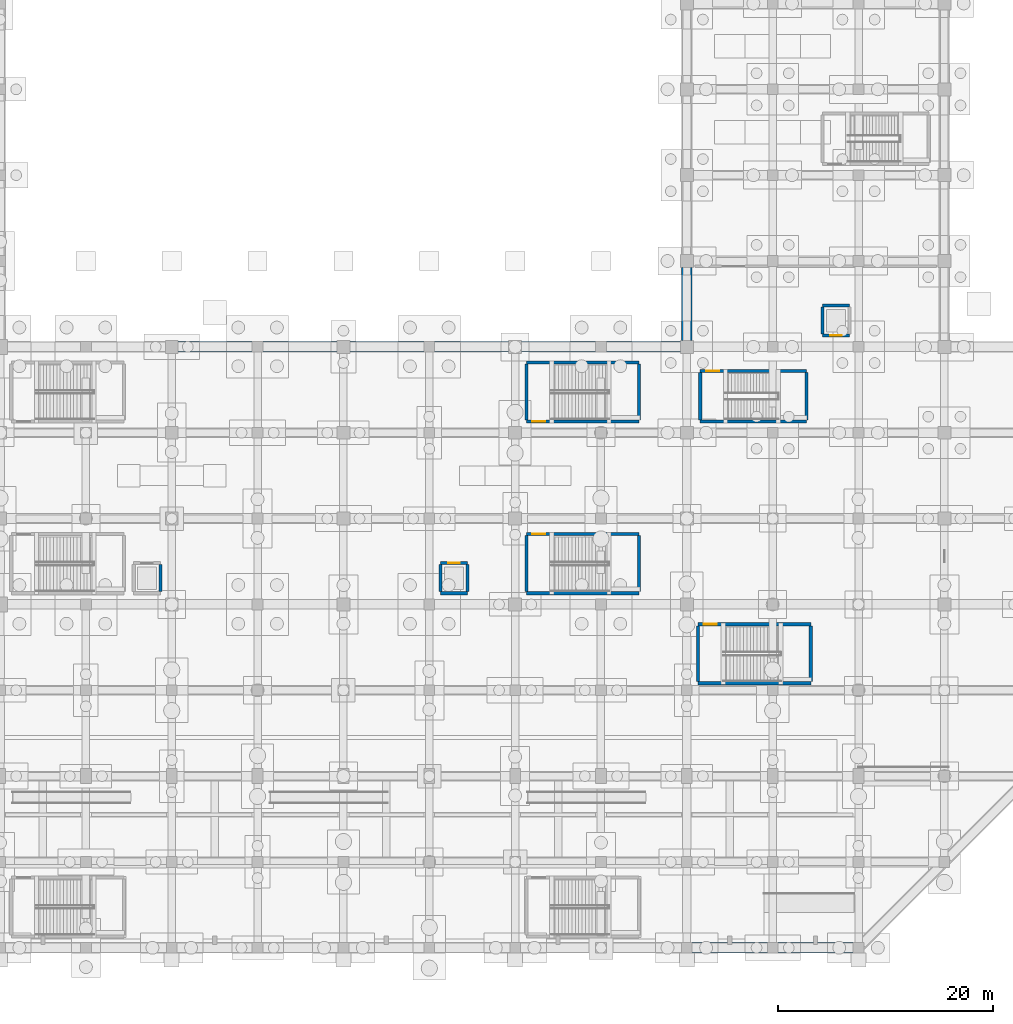
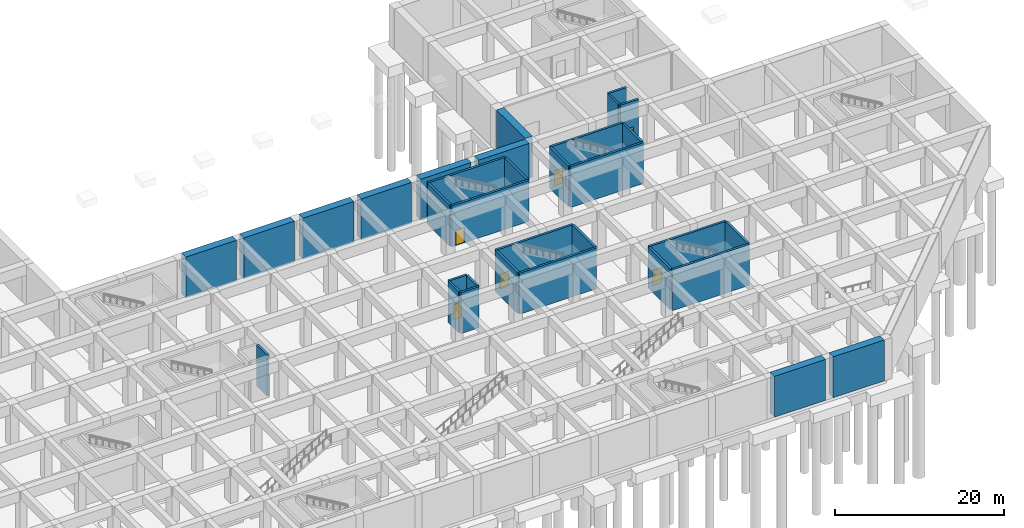
# One storey, part 17 of 26: 33 walls, 6 doors, 6 openings.
"""IFC4 building model written with IfcOpenShell, lengths in metres."""

import ifcopenshell
import ifcopenshell.guid

model = None  # the IFC model being written
_history = None  # IfcOwnerHistory: only IFC2X3 demands one
_inside = {}  # id of a spatial element -> (the spatial element, [elements in it])
_under = {}  # id of a project, library or spatial element -> (it, [spatial elements below it])
_declared = {}  # id of a project -> (the project, [libraries it declares])
_typed = {}  # id of a type object -> (the type object, [elements of that type])
_made_of = {}  # id of a material, layer set ... -> (it, [elements and type objects made of it])


def new_model(schema):
    """Start an empty IFC model of exactly this schema.

    Asked for "IFC4X3", IfcOpenShell would pick the latest addendum, in which some entities
    have other attributes; the version numbers below select the first issue.
    IFC2X3 requires an IfcOwnerHistory on every rooted entity: one is made here for all.
    """
    global model, _history
    if schema == "IFC4X3":
        model = ifcopenshell.file(schema_version=(4, 3, 0, 0))
    else:
        model = ifcopenshell.file(schema=schema)
    _inside.clear()
    _under.clear()
    _declared.clear()
    _typed.clear()
    _made_of.clear()
    _history = None
    if model.schema == "IFC2X3":
        org = make("IfcOrganization", Name="unknown")
        user = make(
            "IfcPersonAndOrganization",
            ThePerson=make("IfcPerson", FamilyName="unknown"),
            TheOrganization=org,
        )
        app = make(
            "IfcApplication",
            ApplicationDeveloper=org,
            Version="unknown",
            ApplicationFullName="unknown",
            ApplicationIdentifier="unknown",
        )
        _history = make(
            "IfcOwnerHistory",
            OwningUser=user,
            OwningApplication=app,
            ChangeAction="ADDED",
            CreationDate=0,
        )
    return model


def make(cls, **values):
    """One entity of the class cls with the attributes given. An attribute that is None is left unset."""
    return model.create_entity(
        cls, **{name: value for name, value in values.items() if value is not None}
    )


def rooted(cls, **values):
    """An entity with a GlobalId (a new one), such as an element, a storey or a relation."""
    return make(cls, GlobalId=ifcopenshell.guid.new(), OwnerHistory=_history, **values)


def si_unit(unit_type, name, prefix=None):
    """IfcSIUnit, for example si_unit("LENGTHUNIT", "METRE", prefix="MILLI")."""
    return make("IfcSIUnit", UnitType=unit_type, Prefix=prefix, Name=name)


def assignment(units):
    """IfcUnitAssignment: the units of a project."""
    return None if units is None else make("IfcUnitAssignment", Units=units)


def point(xyz):
    """IfcCartesianPoint."""
    return None if xyz is None else make("IfcCartesianPoint", Coordinates=xyz)


def direction(xyz):
    """IfcDirection."""
    return None if xyz is None else make("IfcDirection", DirectionRatios=xyz)


def frame(location, z_axis=None, x_axis=None):
    """IfcAxis2Placement3D, a coordinate frame: its origin and axes. An axis left out is left unset."""
    return make(
        "IfcAxis2Placement3D",
        Location=point(location),
        Axis=direction(z_axis),
        RefDirection=direction(x_axis),
    )


def frame_2d(location, x_axis=None):
    """IfcAxis2Placement2D, a coordinate frame in the plane: its origin and x axis."""
    return make(
        "IfcAxis2Placement2D", Location=point(location), RefDirection=direction(x_axis)
    )


def origin():
    """The frame at (0, 0, 0) with its axes left unset."""
    return frame((0.0, 0.0, 0.0))


def place(relative_to, where):
    """IfcLocalPlacement: puts the frame where relative to a parent placement (None: the world)."""
    return make(
        "IfcLocalPlacement", PlacementRelTo=relative_to, RelativePlacement=where
    )


def context(
    kind, dimensions, precision=None, world=None, true_north=None, identifier=None
):
    """IfcGeometricRepresentationContext, for example the 3D "Model" context."""
    return make(
        "IfcGeometricRepresentationContext",
        ContextIdentifier=identifier,
        ContextType=kind,
        CoordinateSpaceDimension=dimensions,
        Precision=precision,
        WorldCoordinateSystem=world,
        TrueNorth=true_north,
    )


def subcontext(parent, identifier, kind, view, scale=None):
    """IfcGeometricRepresentationSubContext, for example "Body" below "Model"."""
    return make(
        "IfcGeometricRepresentationSubContext",
        ContextIdentifier=identifier,
        ContextType=kind,
        ParentContext=parent,
        TargetScale=scale,
        TargetView=view,
    )


def project(units=None, contexts=None):
    """IfcProject with its units and contexts."""
    return rooted(
        "IfcProject",
        Name="project",
        RepresentationContexts=contexts,
        UnitsInContext=assignment(units),
    )


def spatial(cls, under=None, at=None, **own):
    """A site, building, storey or space (cls), placed at a placement, below another one or the project."""
    s = rooted(cls, ObjectPlacement=at, **own)
    if under is not None:
        _under.setdefault(under.id(), (under, []))[1].append(s)
    return s


def profile(cls, at=None, kind="AREA", **sizes):
    """A parametric profile (cls). Its sizes go by their IFC names, for example OverallWidth=200.0."""
    return make(cls, ProfileType=kind, Position=at, **sizes)


def rectangle(**sizes):
    """IfcRectangleProfileDef."""
    return profile("IfcRectangleProfileDef", **sizes)


def extrude(swept, where, along, depth):
    """IfcExtrudedAreaSolid: the profile swept, set in the frame where, extruded along a direction by depth."""
    return make(
        "IfcExtrudedAreaSolid",
        SweptArea=swept,
        Position=where,
        ExtrudedDirection=direction(along),
        Depth=depth,
    )


def shape(context_of_items, identifier, shape_type, items):
    """IfcShapeRepresentation: the items that make up one representation, for example the "Body"."""
    return make(
        "IfcShapeRepresentation",
        ContextOfItems=context_of_items,
        RepresentationIdentifier=identifier,
        RepresentationType=shape_type,
        Items=items,
    )


def material(Name=None, Category=None):
    """IfcMaterial."""
    return make("IfcMaterial", Name=Name, Category=Category)


def layer(
    of_material, thickness, ventilated=None, Name=None, Category=None, Priority=None
):
    """IfcMaterialLayer: one layer of a wall or slab, of a material (None: an air gap)."""
    return make(
        "IfcMaterialLayer",
        Material=of_material,
        LayerThickness=thickness,
        IsVentilated=ventilated,
        Name=Name,
        Category=Category,
        Priority=Priority,
    )


def layer_set(layers, Name=None):
    """IfcMaterialLayerSet."""
    return make("IfcMaterialLayerSet", MaterialLayers=layers, LayerSetName=Name)


def made_of(thing, what):
    """Note that an element or type object is made of a material, layer set ...; save() writes the relation."""
    if what is not None:
        _made_of.setdefault(what.id(), (what, []))[1].append(thing)
    return thing


def type_object(cls, material=None, **own):
    """A type object (cls), such as IfcWallType, which elements share."""
    return made_of(rooted(cls, **own), material)


def element(
    cls,
    number,
    at=None,
    inside=None,
    cuts=None,
    type_object=None,
    material=None,
    context=None,
    identifier="Body",
    shape_type=None,
    held_by="IfcProductDefinitionShape",
    body=None,
    shapes=None,
    **own,
):
    """One element of the class cls, such as IfcWall. Its Tag is "e" and its number.

    at: its placement. inside: the storey or other place that contains it. cuts: it is an
    opening in that element (IfcRelVoidsElement). A single representation is given by context,
    identifier, shape_type and body (its items); several are given by shapes. held_by: the class
    of the entity that holds the representations. save() writes the other relations.
    """
    e = rooted(cls, Tag="e%d" % number, ObjectPlacement=at, **own)
    if body is not None:
        shapes = [shape(context, identifier, shape_type, body)]
    if shapes is not None:
        e.Representation = make(held_by, Representations=shapes)
    if inside is not None:
        _inside.setdefault(inside.id(), (inside, []))[1].append(e)
    if cuts is not None:
        rooted(
            "IfcRelVoidsElement", RelatingBuildingElement=cuts, RelatedOpeningElement=e
        )
    if type_object is not None:
        _typed.setdefault(type_object.id(), (type_object, []))[1].append(e)
    return made_of(e, material)


def fill(opening, filler):
    """IfcRelFillsElement: the door or window that sits in an opening."""
    return rooted(
        "IfcRelFillsElement",
        RelatingOpeningElement=opening,
        RelatedBuildingElement=filler,
    )


def aggregate(whole, parts):
    """IfcRelAggregates: a whole, such as a stair, and the parts it consists of."""
    return rooted("IfcRelAggregates", RelatingObject=whole, RelatedObjects=parts)


def save(model, path):
    """Write the relations noted so far, then the file.

    IfcRelAggregates (storeys below a building ...), IfcRelContainedInSpatialStructure (elements
    in a storey), IfcRelDefinesByType, IfcRelAssociatesMaterial and IfcRelDeclares: one each for
    every whole, place, type object, material and project.
    """
    for whole, parts in _under.values():
        aggregate(whole, parts)
    for where, things in _inside.values():
        rooted(
            "IfcRelContainedInSpatialStructure",
            RelatedElements=things,
            RelatingStructure=where,
        )
    for kind, things in _typed.values():
        rooted("IfcRelDefinesByType", RelatedObjects=things, RelatingType=kind)
    for what, things in _made_of.values():
        rooted("IfcRelAssociatesMaterial", RelatedObjects=things, RelatingMaterial=what)
    for by, libraries in _declared.values():
        rooted("IfcRelDeclares", RelatingContext=by, RelatedDefinitions=libraries)
    model.write(path)


model = new_model("IFC4")

# Units and contexts
model_context = context("Model", 3, precision=1e-05, world=origin(), true_north=direction((0.0, 1.0)))
body_context = subcontext(model_context, "Body", "Model", "MODEL_VIEW")
ifc_project = project(units=[si_unit("LENGTHUNIT", "METRE"), si_unit("AREAUNIT", "SQUARE_METRE"), si_unit("VOLUMEUNIT", "CUBIC_METRE"), si_unit("PLANEANGLEUNIT", "RADIAN"), si_unit("MASSUNIT", "GRAM", prefix="KILO")], contexts=[model_context])

# Site, building, storey
site_placement = place(None, origin())
site = spatial("IfcSite", under=ifc_project, at=site_placement, CompositionType="ELEMENT")
building_placement = place(site_placement, origin())
building = spatial("IfcBuilding", under=site, at=building_placement, Name="Varnela Railside Interchange", CompositionType="ELEMENT")
storey_placement = place(building_placement, frame((0.0, 0.0, -12.60009765625)))
storey = spatial("IfcBuildingStorey", under=building, at=storey_placement, Name="B2", CompositionType="ELEMENT", Elevation=-12.60009765625)

# Walls
ifc_material_1 = material(Name="Concrete C50", Category="concrete")
ifc_layer_1 = layer(ifc_material_1, 1.0)
ifc_layer_set_1 = layer_set([ifc_layer_1], Name="Concrete C50")
wall_type_1 = type_object("IfcWallType", Name="Perimeter Diaphragm Wall DW-01", PredefinedType="USERDEFINED", material=ifc_layer_set_1)
for number, where, z_axis, x_axis, name in (
    (1, (116.5, 6.0, 0.0), (0.0, 0.0, 1.0), (1.0, 0.0, 0.0), "Perimeter Diaphragm Wall DW-01 (B2) (WL-0066)"),
    (2, (124.5, 6.0, 0.0), (0.0, 0.0, 1.0), (1.0, 0.0, 0.0), "Perimeter Diaphragm Wall DW-01 (B2) (WL-0067)"),
):
    element("IfcWall", number, at=place(storey_placement, frame(where, z_axis=z_axis, x_axis=x_axis)), inside=storey, type_object=wall_type_1, Name=name, ObjectType="RETAININGWALL", PredefinedType="USERDEFINED", context=body_context, shape_type="SweptSolid", body=[
        extrude(rectangle(XDim=7.0, YDim=1.0, at=frame_2d((3.5, 0.0))), origin(), (0.0, 0.0, 1.0), 5.900146484375),
    ])
wall_1_placement = place(storey_placement, frame((116.0, 69.39990234375, 0.0), z_axis=(0.0, 0.0, 1.0), x_axis=(0.0, -1.0, 0.0)))
element("IfcWall", 3, at=wall_1_placement, inside=storey, type_object=wall_type_1, Name="Perimeter Diaphragm Wall DW-01 (B2) (WL-0043)", ObjectType="RETAININGWALL", PredefinedType="USERDEFINED", context=body_context, shape_type="SweptSolid", body=[
    extrude(rectangle(XDim=6.7998046875, YDim=1.0, at=frame_2d((3.39990234375, 0.0))), origin(), (0.0, 0.0, 1.0), 5.900146484375),
])
for number, where, z_axis, x_axis, name in (
    (4, (115.39990234375, 62.0, 0.0), (0.0, 0.0, 1.0), (-1.0, 0.0, 0.0), "Perimeter Diaphragm Wall DW-01 (B2) (WL-0044)"),
    (5, (107.5, 62.0, 0.0), (0.0, 0.0, 1.0), (-1.0, 0.0, 0.0), "Perimeter Diaphragm Wall DW-01 (B2) (WL-0045)"),
    (6, (99.39990234375, 62.0, 0.0), (0.0, 0.0, 1.0), (-1.0, 0.0, 0.0), "Perimeter Diaphragm Wall DW-01 (B2) (WL-0046)"),
    (7, (91.5, 62.0, 0.0), (0.0, 0.0, 1.0), (-1.0, 0.0, 0.0), "Perimeter Diaphragm Wall DW-01 (B2) (WL-0047)"),
    (8, (83.39990234375, 62.0, 0.0), (0.0, 0.0, 1.0), (-1.0, 0.0, 0.0), "Perimeter Diaphragm Wall DW-01 (B2) (WL-0048)"),
    (9, (75.5, 62.0, 0.0), (0.0, 0.0, 1.0), (-1.0, 0.0, 0.0), "Perimeter Diaphragm Wall DW-01 (B2) (WL-0049)"),
):
    element("IfcWall", number, at=place(storey_placement, frame(where, z_axis=z_axis, x_axis=x_axis)), inside=storey, type_object=wall_type_1, Name=name, ObjectType="RETAININGWALL", PredefinedType="USERDEFINED", context=body_context, shape_type="SweptSolid", body=[
        extrude(rectangle(XDim=6.89990234375, YDim=1.0, at=frame_2d((3.449951171875, 0.0))), origin(), (0.0, 0.0, 1.0), 5.900146484375),
    ])

# Wall, opening, door
ifc_layer_2 = layer(ifc_material_1, 0.300048828125)
ifc_layer_set_2 = layer_set([ifc_layer_2], Name="Concrete C50")
wall_type_2 = type_object("IfcWallType", Name="Stair & Lift Shaft Wall SW-03", PredefinedType="SHEAR", material=ifc_layer_set_2)
wall_2_placement = place(storey_placement, frame((117.25, 59.75, 0.0), z_axis=(0.0, 0.0, 1.0), x_axis=(1.0, 0.0, 0.0)))
wall_2 = element("IfcWall", 10, at=wall_2_placement, inside=storey, type_object=wall_type_2, Name="Stair & Lift Shaft Wall SW-03 (B2) (WL-0122)", PredefinedType="SHEAR", context=body_context, shape_type="SweptSolid", body=[
    extrude(rectangle(XDim=9.89990234375, YDim=0.300048828125, at=frame_2d((4.949951171875, 0.0))), origin(), (0.0, 0.0, 1.0), 5.900146484375),
])
opening_1_placement = place(wall_2_placement, frame((0.550048828125, 0.0, 0.0)))
opening_1 = element("IfcOpeningElement", 11, at=opening_1_placement, cuts=wall_2, Name="Opening D-107", PredefinedType="OPENING", context=body_context, shape_type="SweptSolid", body=[
    extrude(rectangle(XDim=1.199951171875, YDim=2.199951171875, at=frame_2d((0.60009765625, 1.10009765625))), frame((0.0, 0.159912109375, 0.0), z_axis=(0.0, -1.0, 0.0), x_axis=(1.0, 0.0, 0.0)), (0.0, 0.0, 1.0), 0.320068359375),
])
ifc_material_2 = material(Name="Steel AR 350 (350 MPa)", Category="steel")
door_type_1 = type_object("IfcDoorType", Name="DR-SGL-1200-FD90", OperationType="NOTDEFINED", PredefinedType="DOOR", material=ifc_material_2)
door_1_placement = place(opening_1_placement, frame((1.199951171875, 0.0, 0.0), z_axis=(0.0, 0.0, 1.0), x_axis=(-1.0, 0.0, 0.0)))
door_1 = element("IfcDoor", 12, at=door_1_placement, inside=storey, type_object=door_type_1, Name="Door D-107", OperationType="SINGLE_SWING_LEFT", OverallHeight=2.199951171875, OverallWidth=1.199951171875, PredefinedType="DOOR", context=body_context, shape_type="SweptSolid", body=[
    extrude(rectangle(XDim=1.199951171875, YDim=2.199951171875, at=frame_2d((0.60009765625, 1.10009765625))), frame((0.0, 0.02490234375, 0.0), z_axis=(0.0, -1.0, 0.0), x_axis=(1.0, 0.0, 0.0)), (0.0, 0.0, 1.0), 0.050048828125),
])
fill(opening_1, door_1)

# Walls
wall_3_placement = place(storey_placement, frame((117.25, 55.050048828125, 0.0), z_axis=(0.0, 0.0, 1.0), x_axis=(1.0, 0.0, 0.0)))
element("IfcWall", 13, at=wall_3_placement, inside=storey, type_object=wall_type_2, Name="Stair & Lift Shaft Wall SW-03 (B2) (WL-0123)", PredefinedType="SHEAR", context=body_context, shape_type="SweptSolid", body=[
    extrude(rectangle(XDim=9.89990234375, YDim=0.300048828125, at=frame_2d((4.949951171875, 0.0))), origin(), (0.0, 0.0, 1.0), 5.900146484375),
])
for number, where, z_axis, x_axis, name in (
    (14, (117.25, 55.199951171875, 0.0), (0.0, 0.0, 1.0), (0.0, 1.0, 0.0), "Stair & Lift Shaft Wall SW-03 (B2) (WL-0124)"),
    (15, (127.14990234375, 55.199951171875, 0.0), (0.0, 0.0, 1.0), (0.0, 1.0, 0.0), "Stair & Lift Shaft Wall SW-03 (B2) (WL-0121)"),
):
    element("IfcWall", number, at=place(storey_placement, frame(where, z_axis=z_axis, x_axis=x_axis)), inside=storey, type_object=wall_type_2, Name=name, PredefinedType="SHEAR", context=body_context, shape_type="SweptSolid", body=[
        extrude(rectangle(XDim=4.400146484375, YDim=0.300048828125, at=frame_2d((2.2001953125, 0.0))), origin(), (0.0, 0.0, 1.0), 5.900146484375),
    ])

# Wall, opening, door
wall_4_placement = place(storey_placement, frame((101.050048828125, 44.550048828125, 0.0), z_axis=(0.0, 0.0, 1.0), x_axis=(1.0, 0.0, 0.0)))
wall_4 = element("IfcWall", 16, at=wall_4_placement, inside=storey, type_object=wall_type_2, Name="Stair & Lift Shaft Wall SW-03 (B2) (WL-0110)", PredefinedType="SHEAR", context=body_context, shape_type="SweptSolid", body=[
    extrude(rectangle(XDim=10.5, YDim=0.300048828125, at=frame_2d((5.25, 0.0))), origin(), (0.0, 0.0, 1.0), 5.900146484375),
])
opening_2_placement = place(wall_4_placement, frame((0.550048828125, 0.0, 0.0)))
opening_2 = element("IfcOpeningElement", 17, at=opening_2_placement, cuts=wall_4, Name="Opening D-111", PredefinedType="OPENING", context=body_context, shape_type="SweptSolid", body=[
    extrude(rectangle(XDim=1.199951171875, YDim=2.199951171875, at=frame_2d((0.60009765625, 1.10009765625))), frame((0.0, 0.159912109375, 0.0), z_axis=(0.0, -1.0, 0.0), x_axis=(1.0, 0.0, 0.0)), (0.0, 0.0, 1.0), 0.320068359375),
])
door_2_placement = place(opening_2_placement, frame((1.199951171875, 0.0, 0.0), z_axis=(0.0, 0.0, 1.0), x_axis=(-1.0, 0.0, 0.0)))
door_2 = element("IfcDoor", 18, at=door_2_placement, inside=storey, type_object=door_type_1, Name="Door D-111", OperationType="SINGLE_SWING_LEFT", OverallHeight=2.199951171875, OverallWidth=1.199951171875, PredefinedType="DOOR", context=body_context, shape_type="SweptSolid", body=[
    extrude(rectangle(XDim=1.199951171875, YDim=2.199951171875, at=frame_2d((0.60009765625, 1.10009765625))), frame((0.0, 0.02490234375, 0.0), z_axis=(0.0, -1.0, 0.0), x_axis=(1.0, 0.0, 0.0)), (0.0, 0.0, 1.0), 0.050048828125),
])
fill(opening_2, door_2)

# Walls
wall_5_placement = place(storey_placement, frame((101.050048828125, 39.050048828125, 0.0), z_axis=(0.0, 0.0, 1.0), x_axis=(1.0, 0.0, 0.0)))
element("IfcWall", 19, at=wall_5_placement, inside=storey, type_object=wall_type_2, Name="Stair & Lift Shaft Wall SW-03 (B2) (WL-0111)", PredefinedType="SHEAR", context=body_context, shape_type="SweptSolid", body=[
    extrude(rectangle(XDim=10.5, YDim=0.300048828125, at=frame_2d((5.25, 0.0))), origin(), (0.0, 0.0, 1.0), 5.900146484375),
])
for number, where, z_axis, x_axis, name in (
    (20, (101.050048828125, 39.199951171875, 0.0), (0.0, 0.0, 1.0), (0.0, 1.0, 0.0), "Stair & Lift Shaft Wall SW-03 (B2) (WL-0112)"),
    (21, (111.550048828125, 39.199951171875, 0.0), (0.0, 0.0, 1.0), (0.0, 1.0, 0.0), "Stair & Lift Shaft Wall SW-03 (B2) (WL-0109)"),
):
    element("IfcWall", number, at=place(storey_placement, frame(where, z_axis=z_axis, x_axis=x_axis)), inside=storey, type_object=wall_type_2, Name=name, PredefinedType="SHEAR", context=body_context, shape_type="SweptSolid", body=[
        extrude(rectangle(XDim=5.199951171875, YDim=0.300048828125, at=frame_2d((2.60009765625, 0.0))), origin(), (0.0, 0.0, 1.0), 5.900146484375),
    ])
wall_6_placement = place(storey_placement, frame((101.050048828125, 60.550048828125, 0.0), z_axis=(0.0, 0.0, 1.0), x_axis=(1.0, 0.0, 0.0)))
element("IfcWall", 22, at=wall_6_placement, inside=storey, type_object=wall_type_2, Name="Stair & Lift Shaft Wall SW-03 (B2) (WL-0118)", PredefinedType="SHEAR", context=body_context, shape_type="SweptSolid", body=[
    extrude(rectangle(XDim=10.5, YDim=0.300048828125, at=frame_2d((5.25, 0.0))), origin(), (0.0, 0.0, 1.0), 5.900146484375),
])

# Wall, opening, door
wall_7_placement = place(storey_placement, frame((101.050048828125, 55.050048828125, 0.0), z_axis=(0.0, 0.0, 1.0), x_axis=(1.0, 0.0, 0.0)))
wall_7 = element("IfcWall", 23, at=wall_7_placement, inside=storey, type_object=wall_type_2, Name="Stair & Lift Shaft Wall SW-03 (B2) (WL-0119)", PredefinedType="SHEAR", context=body_context, shape_type="SweptSolid", body=[
    extrude(rectangle(XDim=10.5, YDim=0.300048828125, at=frame_2d((5.25, 0.0))), origin(), (0.0, 0.0, 1.0), 5.900146484375),
])
opening_3_placement = place(wall_7_placement, frame((0.550048828125, 0.0, 0.0)))
opening_3 = element("IfcOpeningElement", 24, at=opening_3_placement, cuts=wall_7, Name="Opening D-113", PredefinedType="OPENING", context=body_context, shape_type="SweptSolid", body=[
    extrude(rectangle(XDim=1.199951171875, YDim=2.199951171875, at=frame_2d((0.60009765625, 1.10009765625))), frame((0.0, 0.159912109375, 0.0), z_axis=(0.0, -1.0, 0.0), x_axis=(1.0, 0.0, 0.0)), (0.0, 0.0, 1.0), 0.320068359375),
])
door_3_placement = place(opening_3_placement, origin())
door_3 = element("IfcDoor", 25, at=door_3_placement, inside=storey, type_object=door_type_1, Name="Door D-113", OperationType="SINGLE_SWING_LEFT", OverallHeight=2.199951171875, OverallWidth=1.199951171875, PredefinedType="DOOR", context=body_context, shape_type="SweptSolid", body=[
    extrude(rectangle(XDim=1.199951171875, YDim=2.199951171875, at=frame_2d((0.60009765625, 1.10009765625))), frame((0.0, 0.02490234375, 0.0), z_axis=(0.0, -1.0, 0.0), x_axis=(1.0, 0.0, 0.0)), (0.0, 0.0, 1.0), 0.050048828125),
])
fill(opening_3, door_3)

# Walls
for number, where, z_axis, x_axis, name in (
    (26, (101.050048828125, 55.199951171875, 0.0), (0.0, 0.0, 1.0), (0.0, 1.0, 0.0), "Stair & Lift Shaft Wall SW-03 (B2) (WL-0120)"),
    (27, (111.550048828125, 55.199951171875, 0.0), (0.0, 0.0, 1.0), (0.0, 1.0, 0.0), "Stair & Lift Shaft Wall SW-03 (B2) (WL-0117)"),
):
    element("IfcWall", number, at=place(storey_placement, frame(where, z_axis=z_axis, x_axis=x_axis)), inside=storey, type_object=wall_type_2, Name=name, PredefinedType="SHEAR", context=body_context, shape_type="SweptSolid", body=[
        extrude(rectangle(XDim=5.199951171875, YDim=0.300048828125, at=frame_2d((2.60009765625, 0.0))), origin(), (0.0, 0.0, 1.0), 5.900146484375),
    ])

# Wall, opening, door
wall_8_placement = place(storey_placement, frame((117.050048828125, 36.14990234375, 0.0), z_axis=(0.0, 0.0, 1.0), x_axis=(1.0, 0.0, 0.0)))
wall_8 = element("IfcWall", 28, at=wall_8_placement, inside=storey, type_object=wall_type_2, Name="Stair & Lift Shaft Wall SW-03 (B2) (WL-0138)", PredefinedType="SHEAR", context=body_context, shape_type="SweptSolid", body=[
    extrude(rectangle(XDim=10.5, YDim=0.300048828125, at=frame_2d((5.25, 0.0))), origin(), (0.0, 0.0, 1.0), 5.900146484375),
])
opening_4_placement = place(wall_8_placement, frame((0.550048828125, 0.0, 0.0)))
opening_4 = element("IfcOpeningElement", 29, at=opening_4_placement, cuts=wall_8, Name="Opening D-115", PredefinedType="OPENING", context=body_context, shape_type="SweptSolid", body=[
    extrude(rectangle(XDim=1.199951171875, YDim=2.199951171875, at=frame_2d((0.60009765625, 1.10009765625))), frame((0.0, 0.159912109375, 0.0), z_axis=(0.0, -1.0, 0.0), x_axis=(1.0, 0.0, 0.0)), (0.0, 0.0, 1.0), 0.320068359375),
])
door_4_placement = place(opening_4_placement, frame((1.199951171875, 0.0, 0.0), z_axis=(0.0, 0.0, 1.0), x_axis=(-1.0, 0.0, 0.0)))
door_4 = element("IfcDoor", 30, at=door_4_placement, inside=storey, type_object=door_type_1, Name="Door D-115", OperationType="SINGLE_SWING_LEFT", OverallHeight=2.199951171875, OverallWidth=1.199951171875, PredefinedType="DOOR", context=body_context, shape_type="SweptSolid", body=[
    extrude(rectangle(XDim=1.199951171875, YDim=2.199951171875, at=frame_2d((0.60009765625, 1.10009765625))), frame((0.0, 0.02490234375, 0.0), z_axis=(0.0, -1.0, 0.0), x_axis=(1.0, 0.0, 0.0)), (0.0, 0.0, 1.0), 0.050048828125),
])
fill(opening_4, door_4)

# Walls
wall_9_placement = place(storey_placement, frame((117.050048828125, 30.64990234375, 0.0), z_axis=(0.0, 0.0, 1.0), x_axis=(1.0, 0.0, 0.0)))
element("IfcWall", 31, at=wall_9_placement, inside=storey, type_object=wall_type_2, Name="Stair & Lift Shaft Wall SW-03 (B2) (WL-0139)", PredefinedType="SHEAR", context=body_context, shape_type="SweptSolid", body=[
    extrude(rectangle(XDim=10.5, YDim=0.300048828125, at=frame_2d((5.25, 0.0))), origin(), (0.0, 0.0, 1.0), 5.900146484375),
])
for number, where, z_axis, x_axis, name in (
    (32, (117.050048828125, 30.800048828125, 0.0), (0.0, 0.0, 1.0), (0.0, 1.0, 0.0), "Stair & Lift Shaft Wall SW-03 (B2) (WL-0140)"),
    (33, (127.550048828125, 30.800048828125, 0.0), (0.0, 0.0, 1.0), (0.0, 1.0, 0.0), "Stair & Lift Shaft Wall SW-03 (B2) (WL-0137)"),
):
    element("IfcWall", number, at=place(storey_placement, frame(where, z_axis=z_axis, x_axis=x_axis)), inside=storey, type_object=wall_type_2, Name=name, PredefinedType="SHEAR", context=body_context, shape_type="SweptSolid", body=[
        extrude(rectangle(XDim=5.199951171875, YDim=0.300048828125, at=frame_2d((2.60009765625, 0.0))), origin(), (0.0, 0.0, 1.0), 5.900146484375),
    ])
wall_10_placement = place(storey_placement, frame((66.949951171875, 39.199951171875, 0.0), z_axis=(0.0, 0.0, 1.0), x_axis=(0.0, 1.0, 0.0)))
element("IfcWall", 34, at=wall_10_placement, inside=storey, type_object=wall_type_2, Name="Stair & Lift Shaft Wall SW-03 (B2) (WL-0093)", PredefinedType="SHEAR", context=body_context, shape_type="SweptSolid", body=[
    extrude(rectangle(XDim=2.5, YDim=0.300048828125, at=frame_2d((1.25, 0.0))), origin(), (0.0, 0.0, 1.0), 5.900146484375),
])

# Wall, opening, door
wall_11_placement = place(storey_placement, frame((93.050048828125, 41.85009765625, 0.0), z_axis=(0.0, 0.0, 1.0), x_axis=(1.0, 0.0, 0.0)))
wall_11 = element("IfcWall", 35, at=wall_11_placement, inside=storey, type_object=wall_type_2, Name="Stair & Lift Shaft Wall SW-03 (B2) (WL-0098)", PredefinedType="SHEAR", context=body_context, shape_type="SweptSolid", body=[
    extrude(rectangle(XDim=2.5, YDim=0.300048828125, at=frame_2d((1.25, 0.0))), origin(), (0.0, 0.0, 1.0), 5.900146484375),
])
opening_5_placement = place(wall_11_placement, frame((0.699951171875, 0.0, 0.0)))
opening_5 = element("IfcOpeningElement", 36, at=opening_5_placement, cuts=wall_11, Name="Opening LD-008", PredefinedType="OPENING", context=body_context, shape_type="SweptSolid", body=[
    extrude(rectangle(XDim=1.080078125, YDim=2.199951171875, at=frame_2d((0.5400390625, 1.10009765625))), frame((0.0, 0.159912109375, 0.0), z_axis=(0.0, -1.0, 0.0), x_axis=(1.0, 0.0, 0.0)), (0.0, 0.0, 1.0), 0.320068359375),
])
door_type_2 = type_object("IfcDoorType", Name="DR-LIFT-1080", OperationType="SLIDING_TO_LEFT", PredefinedType="DOOR", material=ifc_material_2)
door_5_placement = place(opening_5_placement, origin())
door_5 = element("IfcDoor", 37, at=door_5_placement, inside=storey, type_object=door_type_2, Name="Door LD-008", OperationType="SLIDING_TO_LEFT", OverallHeight=2.199951171875, OverallWidth=1.080078125, PredefinedType="DOOR", context=body_context, shape_type="SweptSolid", body=[
    extrude(rectangle(XDim=1.080078125, YDim=2.199951171875, at=frame_2d((0.5400390625, 1.10009765625))), frame((0.0, 0.02490234375, 0.0), z_axis=(0.0, -1.0, 0.0), x_axis=(1.0, 0.0, 0.0)), (0.0, 0.0, 1.0), 0.050048828125),
])
fill(opening_5, door_5)

# Walls
for number, where, z_axis, x_axis, name in (
    (38, (93.050048828125, 39.050048828125, 0.0), (0.0, 0.0, 1.0), (1.0, 0.0, 0.0), "Stair & Lift Shaft Wall SW-03 (B2) (WL-0099)"),
    (39, (93.050048828125, 39.199951171875, 0.0), (0.0, 0.0, 1.0), (0.0, 1.0, 0.0), "Stair & Lift Shaft Wall SW-03 (B2) (WL-0100)"),
    (40, (95.550048828125, 39.199951171875, 0.0), (0.0, 0.0, 1.0), (0.0, 1.0, 0.0), "Stair & Lift Shaft Wall SW-03 (B2) (WL-0097)"),
    (41, (128.64990234375, 65.85009765625, 0.0), (0.0, 0.0, 1.0), (1.0, 0.0, 0.0), "Stair & Lift Shaft Wall SW-03 (B2) (WL-0102)"),
):
    element("IfcWall", number, at=place(storey_placement, frame(where, z_axis=z_axis, x_axis=x_axis)), inside=storey, type_object=wall_type_2, Name=name, PredefinedType="SHEAR", context=body_context, shape_type="SweptSolid", body=[
        extrude(rectangle(XDim=2.5, YDim=0.300048828125, at=frame_2d((1.25, 0.0))), origin(), (0.0, 0.0, 1.0), 5.900146484375),
    ])

# Wall, opening, door
wall_12_placement = place(storey_placement, frame((128.64990234375, 63.050048828125, 0.0), z_axis=(0.0, 0.0, 1.0), x_axis=(1.0, 0.0, 0.0)))
wall_12 = element("IfcWall", 42, at=wall_12_placement, inside=storey, type_object=wall_type_2, Name="Stair & Lift Shaft Wall SW-03 (B2) (WL-0103)", PredefinedType="SHEAR", context=body_context, shape_type="SweptSolid", body=[
    extrude(rectangle(XDim=2.5, YDim=0.300048828125, at=frame_2d((1.25, 0.0))), origin(), (0.0, 0.0, 1.0), 5.900146484375),
])
opening_6_placement = place(wall_12_placement, frame((0.699951171875, 0.0, 0.0)))
opening_6 = element("IfcOpeningElement", 43, at=opening_6_placement, cuts=wall_12, Name="Opening LD-009", PredefinedType="OPENING", context=body_context, shape_type="SweptSolid", body=[
    extrude(rectangle(XDim=1.080078125, YDim=2.199951171875, at=frame_2d((0.5400390625, 1.10009765625))), frame((0.0, 0.159912109375, 0.0), z_axis=(0.0, -1.0, 0.0), x_axis=(1.0, 0.0, 0.0)), (0.0, 0.0, 1.0), 0.320068359375),
])
door_6_placement = place(opening_6_placement, origin())
door_6 = element("IfcDoor", 44, at=door_6_placement, inside=storey, type_object=door_type_2, Name="Door LD-009", OperationType="SLIDING_TO_LEFT", OverallHeight=2.199951171875, OverallWidth=1.080078125, PredefinedType="DOOR", context=body_context, shape_type="SweptSolid", body=[
    extrude(rectangle(XDim=1.080078125, YDim=2.199951171875, at=frame_2d((0.5400390625, 1.10009765625))), frame((0.0, 0.02490234375, 0.0), z_axis=(0.0, -1.0, 0.0), x_axis=(1.0, 0.0, 0.0)), (0.0, 0.0, 1.0), 0.050048828125),
])
fill(opening_6, door_6)

# Wall
wall_13_placement = place(storey_placement, frame((128.64990234375, 63.199951171875, 0.0), z_axis=(0.0, 0.0, 1.0), x_axis=(0.0, 1.0, 0.0)))
element("IfcWall", 45, at=wall_13_placement, inside=storey, type_object=wall_type_2, Name="Stair & Lift Shaft Wall SW-03 (B2) (WL-0104)", PredefinedType="SHEAR", context=body_context, shape_type="SweptSolid", body=[
    extrude(rectangle(XDim=2.5, YDim=0.300048828125, at=frame_2d((1.25, 0.0))), origin(), (0.0, 0.0, 1.0), 5.900146484375),
])

save(model, "model.ifc")
